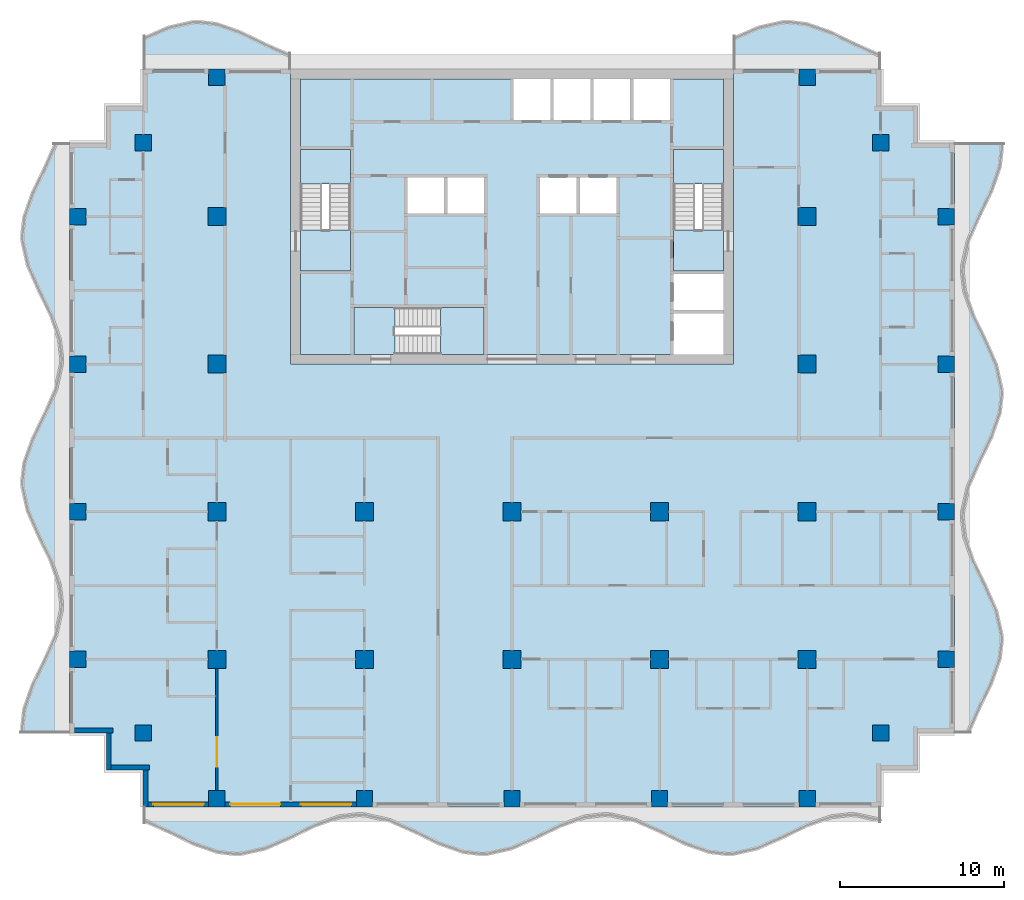
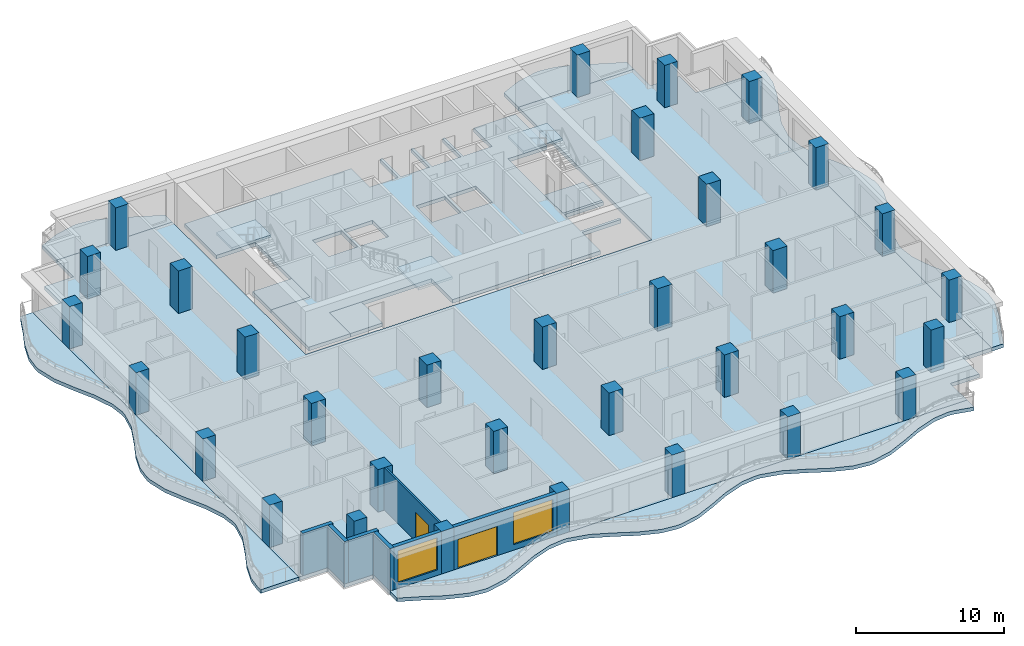
# One storey, part 1 of 12: 33 columns, 13 slabs, 7 walls, 2 doors, 2 windows, 4 openings, 3 elements without a shape of their own.
"""IFC4 building model written with IfcOpenShell, lengths in metres."""

from ifc_helpers import new_model, si_unit, direction, frame, frame_2d, origin, origin_2d, place, context, subcontext, project, spatial, polyline, rectangle, outline, extrude, material, layer, layer_set, material_profile, profile_set, type_object, element, fill, aggregate, save


model = new_model("IFC4")

# Units and contexts
model_context = context("Model", 3, precision=1e-05, world=origin(), true_north=direction((0.0, 1.0)))
body_context = subcontext(model_context, "Body", "Model", "MODEL_VIEW")
ifc_project = project(units=[si_unit("LENGTHUNIT", "METRE"), si_unit("AREAUNIT", "SQUARE_METRE"), si_unit("VOLUMEUNIT", "CUBIC_METRE"), si_unit("PLANEANGLEUNIT", "RADIAN"), si_unit("MASSUNIT", "GRAM", prefix="KILO")], contexts=[model_context])

# Site, building, storey
site_placement = place(None, origin())
site = spatial("IfcSite", under=ifc_project, at=site_placement, CompositionType="ELEMENT")
building_placement = place(site_placement, origin())
building = spatial("IfcBuilding", under=site, at=building_placement, Name="Orbiselva Terraces", CompositionType="ELEMENT")
storey_placement = place(building_placement, frame((0.0, 0.0, 207.2)))
storey = spatial("IfcBuildingStorey", under=building, at=storey_placement, Name="L52", CompositionType="ELEMENT", Elevation=207.2)

# Columns
ifc_material_1 = material(Name="Concrete C60/75", Category="concrete")
ifc_material_profile_1 = material_profile(ifc_material_1, rectangle(XDim=1.1, YDim=1.1, at=origin_2d()), Name="RC 1100x1100")
ifc_profile_set_1 = profile_set([ifc_material_profile_1], Name="Concrete C60/75")
column_type_1 = type_object("IfcColumnType", Name="COLUMN RC 1100x1100", PredefinedType="COLUMN", material=ifc_profile_set_1)
for number, where, z_axis, x_axis, name in (
    (1, (-18.0, -13.5, 0.0), (0.0, 0.0, 1.0), (1.0, 0.0, 0.0), "Column L52-01"),
    (2, (-18.0, -4.5, 0.0), (0.0, 0.0, 1.0), (1.0, 0.0, 0.0), "Column L52-03"),
    (3, (-18.0, 13.5, 0.0), (0.0, 0.0, 1.0), (1.0, 0.0, 0.0), "Column L52-04"),
    (4, (-18.0, 4.5, 0.0), (0.0, 0.0, 1.0), (1.0, 0.0, 0.0), "Column L52-06"),
    (5, (-9.0, -13.5, 0.0), (0.0, 0.0, 1.0), (1.0, 0.0, 0.0), "Column L52-13"),
    (6, (-9.0, -4.5, 0.0), (0.0, 0.0, 1.0), (1.0, 0.0, 0.0), "Column L52-15"),
    (7, (0.0, -13.5, 0.0), (0.0, 0.0, 1.0), (1.0, 0.0, 0.0), "Column L52-16"),
    (8, (0.0, -4.5, 0.0), (0.0, 0.0, 1.0), (1.0, 0.0, 0.0), "Column L52-18"),
    (9, (18.0, -13.5, 0.0), (0.0, 0.0, 1.0), (1.0, 0.0, 0.0), "Column L52-19"),
    (10, (18.0, -4.5, 0.0), (0.0, 0.0, 1.0), (1.0, 0.0, 0.0), "Column L52-21"),
    (11, (18.0, 13.5, 0.0), (0.0, 0.0, 1.0), (1.0, 0.0, 0.0), "Column L52-22"),
    (12, (18.0, 4.5, 0.0), (0.0, 0.0, 1.0), (1.0, 0.0, 0.0), "Column L52-24"),
    (13, (9.0, -13.5, 0.0), (0.0, 0.0, 1.0), (1.0, 0.0, 0.0), "Column L52-31"),
    (14, (9.0, -4.5, 0.0), (0.0, 0.0, 1.0), (1.0, 0.0, 0.0), "Column L52-33"),
):
    element("IfcColumn", number, at=place(storey_placement, frame(where, z_axis=z_axis, x_axis=x_axis)), inside=storey, type_object=column_type_1, Name=name, PredefinedType="COLUMN", context=body_context, shape_type="SweptSolid", body=[
        extrude(rectangle(XDim=1.1, YDim=1.1, at=origin_2d()), origin(), (0.0, 0.0, 1.0), 3.5),
    ])
ifc_material_2 = material(Name="Concrete C50/60", Category="concrete")
ifc_material_profile_2 = material_profile(ifc_material_2, rectangle(XDim=1.0, YDim=1.0, at=origin_2d()), Name="RC 1000x1000")
ifc_profile_set_2 = profile_set([ifc_material_profile_2], Name="Concrete C50/60")
column_type_2 = type_object("IfcColumnType", Name="PERIMETER COLUMN RC 1000x1000", PredefinedType="COLUMN", material=ifc_profile_set_2)
for number, where, z_axis, x_axis, name in (
    (15, (-18.0, -22.0, 0.0), (0.0, 0.0, 1.0), (1.0, 0.0, 0.0), "Column L52-02"),
    (16, (-18.0, 22.0, 0.0), (0.0, 0.0, 1.0), (1.0, 0.0, 0.0), "Column L52-05"),
    (17, (-26.5, -13.5, 0.0), (0.0, 0.0, 1.0), (1.0, 0.0, 0.0), "Column L52-07"),
    (18, (-22.5, -18.0, 0.0), (0.0, 0.0, 1.0), (1.0, 0.0, 0.0), "Column L52-08"),
    (19, (-26.5, -4.5, 0.0), (0.0, 0.0, 1.0), (1.0, 0.0, 0.0), "Column L52-09"),
    (20, (-26.5, 13.5, 0.0), (0.0, 0.0, 1.0), (1.0, 0.0, 0.0), "Column L52-10"),
    (21, (-22.5, 18.0, 0.0), (0.0, 0.0, 1.0), (1.0, 0.0, 0.0), "Column L52-11"),
    (22, (-26.5, 4.5, 0.0), (0.0, 0.0, 1.0), (1.0, 0.0, 0.0), "Column L52-12"),
    (23, (-9.0, -22.0, 0.0), (0.0, 0.0, 1.0), (1.0, 0.0, 0.0), "Column L52-14"),
    (24, (0.0, -22.0, 0.0), (0.0, 0.0, 1.0), (1.0, 0.0, 0.0), "Column L52-17"),
    (25, (18.0, -22.0, 0.0), (0.0, 0.0, 1.0), (1.0, 0.0, 0.0), "Column L52-20"),
    (26, (18.0, 22.0, 0.0), (0.0, 0.0, 1.0), (1.0, 0.0, 0.0), "Column L52-23"),
    (27, (26.5, -13.5, 0.0), (0.0, 0.0, 1.0), (1.0, 0.0, 0.0), "Column L52-25"),
    (28, (22.5, -18.0, 0.0), (0.0, 0.0, 1.0), (1.0, 0.0, 0.0), "Column L52-26"),
    (29, (26.5, -4.5, 0.0), (0.0, 0.0, 1.0), (1.0, 0.0, 0.0), "Column L52-27"),
    (30, (26.5, 13.5, 0.0), (0.0, 0.0, 1.0), (1.0, 0.0, 0.0), "Column L52-28"),
    (31, (22.5, 18.0, 0.0), (0.0, 0.0, 1.0), (1.0, 0.0, 0.0), "Column L52-29"),
    (32, (26.5, 4.5, 0.0), (0.0, 0.0, 1.0), (1.0, 0.0, 0.0), "Column L52-30"),
    (33, (9.0, -22.0, 0.0), (0.0, 0.0, 1.0), (1.0, 0.0, 0.0), "Column L52-32"),
):
    element("IfcColumn", number, at=place(storey_placement, frame(where, z_axis=z_axis, x_axis=x_axis)), inside=storey, type_object=column_type_2, Name=name, PredefinedType="COLUMN", context=body_context, shape_type="SweptSolid", body=[
        extrude(rectangle(XDim=1.0, YDim=1.0, at=origin_2d()), origin(), (0.0, 0.0, 1.0), 3.5),
    ])

# Slabs
ifc_material_3 = material(Name="Concrete C40/50", Category="concrete")
ifc_layer_1 = layer(ifc_material_3, 0.3)
ifc_layer_set_1 = layer_set([ifc_layer_1], Name="Concrete C40/50")
slab_type_1 = type_object("IfcSlabType", Name="CORE-SLAB-FLOOR-300", PredefinedType="FLOOR", material=ifc_layer_set_1)
slab_1_placement = place(storey_placement, frame((0.0, 0.0, -0.3)))
element("IfcSlab", 34, at=slab_1_placement, inside=storey, type_object=slab_type_1, Name="L52 S1 floor landing", PredefinedType="FLOOR", context=body_context, shape_type="SweptSolid", body=[
    extrude(outline(polyline([(-12.9, 12.7), (-9.85, 12.7), (-9.85, 10.2), (-12.9, 10.2), (-12.9, 12.7)])), origin(), (0.0, 0.0, 1.0), 0.3),
])
slab_2_placement = place(storey_placement, frame((0.0, 0.0, -0.3)))
element("IfcSlab", 35, at=slab_2_placement, inside=storey, type_object=slab_type_1, Name="L52 S2 floor landing", PredefinedType="FLOOR", context=body_context, shape_type="SweptSolid", body=[
    extrude(outline(polyline([(12.9, 12.7), (12.9, 10.2), (9.85, 10.2), (9.85, 12.7), (12.9, 12.7)])), origin(), (0.0, 0.0, 1.0), 0.3),
])
slab_3_placement = place(storey_placement, frame((0.0, 0.0, -0.3)))
element("IfcSlab", 36, at=slab_3_placement, inside=storey, type_object=slab_type_1, Name="L52 S3 floor landing", PredefinedType="FLOOR", context=body_context, shape_type="SweptSolid", body=[
    extrude(outline(polyline([(-7.15, 5.1), (-9.65, 5.1), (-9.65, 7.95), (-7.15, 7.95), (-7.15, 5.1)])), origin(), (0.0, 0.0, 1.0), 0.3),
])
slab_4_placement = place(storey_placement, frame((0.0, 0.0, -0.3)))
element("IfcSlab", 37, at=slab_4_placement, inside=storey, type_object=slab_type_1, Name="L52 core floor slab 1", PredefinedType="FLOOR", context=body_context, shape_type="SweptSolid", body=[
    extrude(outline(polyline([(-1.7, 5.1), (-1.7, 7.95), (-9.65, 7.95), (-9.65, 5.1), (-12.9, 5.1), (-12.9, 10.2), (-9.85, 10.2), (-9.85, 17.6), (-12.9, 17.6), (-12.9, 21.9), (0.1, 21.9), (0.1, 19.4), (2.3375, 19.4), (2.3375, 21.9), (2.5375, 21.9), (2.5375, 19.4), (4.775, 19.4), (4.775, 21.9), (4.975, 21.9), (4.975, 19.4), (7.2125, 19.4), (7.2125, 21.9), (7.4125, 21.9), (7.4125, 19.4), (9.65, 19.4), (9.65, 21.9), (12.9, 21.9), (12.9, 17.6), (9.85, 17.6), (9.85, 10.2), (12.9, 10.2), (12.9, 10.0), (9.85, 10.0), (9.85, 7.8), (12.9, 7.8), (12.9, 7.6), (9.85, 7.6), (9.85, 5.1), (-1.7, 5.1)]), holes=[polyline([(-4.1375, 13.7), (-4.1375, 15.9), (-6.375, 15.9), (-6.375, 13.7), (-4.1375, 13.7)]), polyline([(-1.7, 13.7), (-1.7, 15.9), (-3.9375, 15.9), (-3.9375, 13.7), (-1.7, 13.7)]), polyline([(3.9375, 15.9), (1.7, 15.9), (1.7, 13.7), (3.9375, 13.7), (3.9375, 15.9)]), polyline([(6.375, 13.7), (6.375, 15.9), (4.1375, 15.9), (4.1375, 13.7), (6.375, 13.7)])]), origin(), (0.0, 0.0, 1.0), 0.3),
])

# Stair, slab
stair_type_1 = type_object("IfcStairType", Name="CORE-STAIR-1300", PredefinedType="HALF_TURN_STAIR", material=ifc_material_3)
stair_1_placement = place(storey_placement, origin())
stair_1 = element("IfcStair", 38, at=stair_1_placement, inside=storey, type_object=stair_type_1, Name="L52 Exit Stair S1", PredefinedType="HALF_TURN_STAIR")
ifc_layer_2 = layer(ifc_material_3, 0.2)
ifc_layer_set_2 = layer_set([ifc_layer_2], Name="Concrete C40/50")
slab_type_2 = type_object("IfcSlabType", Name="CORE-STAIR-LANDING-200", PredefinedType="LANDING", material=ifc_layer_set_2)
slab_5_placement = place(storey_placement, frame((0.0, 0.0, 1.7)))
slab_5 = element("IfcSlab", 39, at=slab_5_placement, type_object=slab_type_2, Name="S1 landing 1", PredefinedType="LANDING", context=body_context, shape_type="SweptSolid", body=[
    extrude(outline(polyline([(-9.85, 15.5), (-9.85, 17.6), (-12.9, 17.6), (-12.9, 15.5), (-9.85, 15.5)])), origin(), (0.0, 0.0, 1.0), 0.2),
])
aggregate(stair_1, [slab_5])

stair_2_placement = place(storey_placement, origin())
stair_2 = element("IfcStair", 40, at=stair_2_placement, inside=storey, type_object=stair_type_1, Name="L52 Exit Stair S2", PredefinedType="HALF_TURN_STAIR")
slab_6_placement = place(storey_placement, frame((0.0, 0.0, 1.7)))
slab_6 = element("IfcSlab", 41, at=slab_6_placement, type_object=slab_type_2, Name="S2 landing 1", PredefinedType="LANDING", context=body_context, shape_type="SweptSolid", body=[
    extrude(outline(polyline([(12.9, 15.5), (12.9, 17.6), (9.85, 17.6), (9.85, 15.5), (12.9, 15.5)])), origin(), (0.0, 0.0, 1.0), 0.2),
])
aggregate(stair_2, [slab_6])

stair_type_2 = type_object("IfcStairType", Name="CORE-STAIR-1200", PredefinedType="HALF_TURN_STAIR", material=ifc_material_3)
stair_3_placement = place(storey_placement, origin())
stair_3 = element("IfcStair", 42, at=stair_3_placement, inside=storey, type_object=stair_type_2, Name="L52 Exit Stair S3", PredefinedType="HALF_TURN_STAIR")
slab_7_placement = place(storey_placement, frame((0.0, 0.0, 1.7)))
slab_7 = element("IfcSlab", 43, at=slab_7_placement, type_object=slab_type_2, Name="S3 landing 1", PredefinedType="LANDING", context=body_context, shape_type="SweptSolid", body=[
    extrude(outline(polyline([(-4.35, 5.1), (-1.7, 5.1), (-1.7, 7.95), (-4.35, 7.95), (-4.35, 5.1)])), origin(), (0.0, 0.0, 1.0), 0.2),
])
aggregate(stair_3, [slab_7])

# Slabs
ifc_layer_3 = layer(ifc_material_2, 0.3)
ifc_layer_set_3 = layer_set([ifc_layer_3], Name="Concrete C50/60")
slab_type_3 = type_object("IfcSlabType", Name="ENV-BALCONY-SLAB-300", PredefinedType="FLOOR", material=ifc_layer_set_3)
slab_8_placement = place(storey_placement, frame((0.0, 0.0, -0.3)))
element("IfcSlab", 44, at=slab_8_placement, inside=storey, type_object=slab_type_3, Name="Balcony slab L52 S", PredefinedType="FLOOR", context=body_context, shape_type="SweptSolid", body=[
    extrude(outline(polyline([(-22.5, -23.451472), (-21.0, -24.112279), (-19.5, -24.844789), (-18.0, -25.369208), (-16.875, -25.5), (-16.5, -25.485226), (-15.0, -25.148528), (-13.5, -24.487721), (-12.0, -23.755211), (-10.5, -23.230792), (-9.375, -23.1), (-9.0, -23.114774), (-7.5, -23.451472), (-6.0, -24.112279), (-4.5, -24.844789), (-3.0, -25.369208), (-1.875, -25.5), (-1.5, -25.485226), (0.0, -25.148528), (1.5, -24.487721), (3.0, -23.755211), (4.5, -23.230792), (5.625, -23.1), (6.0, -23.114774), (7.5, -23.451472), (9.0, -24.112279), (10.5, -24.844789), (12.0, -25.369208), (13.125, -25.5), (13.5, -25.485226), (15.0, -25.148528), (16.5, -24.487721), (18.0, -23.755211), (19.5, -23.230792), (20.625, -23.1), (21.0, -23.114774), (22.5, -23.451472), (22.5, -22.5), (-22.5, -22.5), (-22.5, -23.451472)])), origin(), (0.0, 0.0, 1.0), 0.3),
])
slab_9_placement = place(storey_placement, frame((0.0, 0.0, -0.3)))
element("IfcSlab", 45, at=slab_9_placement, inside=storey, type_object=slab_type_3, Name="Balcony slab L52 E", PredefinedType="FLOOR", context=body_context, shape_type="SweptSolid", body=[
    extrude(outline(polyline([(27.951472, -18.0), (28.612279, -16.5), (29.344789, -15.0), (29.869208, -13.5), (30.0, -12.375), (29.985226, -12.0), (29.648528, -10.5), (28.987721, -9.0), (28.255211, -7.5), (27.730792, -6.0), (27.6, -4.875), (27.614774, -4.5), (27.951472, -3.0), (28.612279, -1.5), (29.344789, 0.0), (29.869208, 1.5), (30.0, 2.625), (29.985226, 3.0), (29.648528, 4.5), (28.987721, 6.0), (28.255211, 7.5), (27.730792, 9.0), (27.6, 10.125), (27.614774, 10.5), (27.951472, 12.0), (28.612279, 13.5), (29.344789, 15.0), (29.869208, 16.5), (30.0, 17.625), (29.985226, 18.0), (27.0, 18.0), (27.0, -18.0), (27.951472, -18.0)])), origin(), (0.0, 0.0, 1.0), 0.3),
])
slab_10_placement = place(storey_placement, frame((0.0, 0.0, -0.3)))
element("IfcSlab", 46, at=slab_10_placement, inside=storey, type_object=slab_type_3, Name="Balcony slab L52 NE", PredefinedType="FLOOR", context=body_context, shape_type="SweptSolid", body=[
    extrude(outline(polyline([(22.5, 23.451472), (21.0, 24.112279), (19.5, 24.844789), (18.0, 25.369208), (16.875, 25.5), (16.5, 25.485226), (15.0, 25.148528), (13.5, 24.487721), (13.5, 22.5), (22.5, 22.5), (22.5, 23.451472)])), origin(), (0.0, 0.0, 1.0), 0.3),
])
slab_11_placement = place(storey_placement, frame((0.0, 0.0, -0.3)))
element("IfcSlab", 47, at=slab_11_placement, inside=storey, type_object=slab_type_3, Name="Balcony slab L52 NW", PredefinedType="FLOOR", context=body_context, shape_type="SweptSolid", body=[
    extrude(outline(polyline([(-13.5, 23.451472), (-15.0, 24.112279), (-16.5, 24.844789), (-18.0, 25.369208), (-19.125, 25.5), (-19.5, 25.485226), (-21.0, 25.148528), (-22.5, 24.487721), (-22.5, 22.5), (-13.5, 22.5), (-13.5, 23.451472)])), origin(), (0.0, 0.0, 1.0), 0.3),
])
slab_12_placement = place(storey_placement, frame((0.0, 0.0, -0.3)))
element("IfcSlab", 48, at=slab_12_placement, inside=storey, type_object=slab_type_3, Name="Balcony slab L52 W", PredefinedType="FLOOR", context=body_context, shape_type="SweptSolid", body=[
    extrude(outline(polyline([(-27.951472, 18.0), (-28.612279, 16.5), (-29.344789, 15.0), (-29.869208, 13.5), (-30.0, 12.375), (-29.985226, 12.0), (-29.648528, 10.5), (-28.987721, 9.0), (-28.255211, 7.5), (-27.730792, 6.0), (-27.6, 4.875), (-27.614774, 4.5), (-27.951472, 3.0), (-28.612279, 1.5), (-29.344789, 0.0), (-29.869208, -1.5), (-30.0, -2.625), (-29.985226, -3.0), (-29.648528, -4.5), (-28.987721, -6.0), (-28.255211, -7.5), (-27.730792, -9.0), (-27.6, -10.125), (-27.614774, -10.5), (-27.951472, -12.0), (-28.612279, -13.5), (-29.344789, -15.0), (-29.869208, -16.5), (-30.0, -17.625), (-29.985226, -18.0), (-27.0, -18.0), (-27.0, 18.0), (-27.951472, 18.0)])), origin(), (0.0, 0.0, 1.0), 0.3),
])
ifc_layer_4 = layer(ifc_material_2, 0.3)
ifc_layer_set_4 = layer_set([ifc_layer_4], Name="Concrete C50/60")
slab_type_4 = type_object("IfcSlabType", Name="FLOOR SLAB 300", PredefinedType="FLOOR", material=ifc_layer_set_4)
slab_13_placement = place(storey_placement, frame((0.0, 0.0, -0.3)))
element("IfcSlab", 49, at=slab_13_placement, inside=storey, type_object=slab_type_4, Name="Floor slab L52", PredefinedType="FLOOR", context=body_context, shape_type="SweptSolid", body=[
    extrude(outline(polyline([(22.5, 22.5), (22.5, 20.25), (24.75, 20.25), (24.75, 18.0), (27.0, 18.0), (27.0, -18.0), (24.75, -18.0), (24.75, -20.25), (22.5, -20.25), (22.5, -22.5), (-22.5, -22.5), (-22.5, -20.25), (-24.75, -20.25), (-24.75, -18.0), (-27.0, -18.0), (-27.0, 18.0), (-24.75, 18.0), (-24.75, 20.25), (-22.5, 20.25), (-22.5, 22.5), (-13.5, 22.5), (-13.5, 4.5), (13.5, 4.5), (13.5, 22.5), (22.5, 22.5)])), origin(), (0.0, 0.0, 1.0), 0.3),
])

# Wall, opening, window
ifc_material_4 = material(Name="Terracotta cladding on masonry backing", Category="masonry")
ifc_layer_5 = layer(ifc_material_4, 0.3)
ifc_layer_set_5 = layer_set([ifc_layer_5], Name="Terracotta cladding on masonry backing")
wall_type_1 = type_object("IfcWallType", Name="ENV-WALL-TERRACOTTA-300", PredefinedType="SOLIDWALL", material=ifc_layer_set_5)
wall_1_placement = place(storey_placement, frame((-18.5, -22.35, 0.0), z_axis=(0.0, 0.0, 1.0), x_axis=(-1.0, 0.0, 0.0)))
wall_1 = element("IfcWall", 50, at=wall_1_placement, inside=storey, type_object=wall_type_1, Name="Facade wall L52 S", PredefinedType="SOLIDWALL", context=body_context, shape_type="SweptSolid", body=[
    extrude(rectangle(XDim=3.7, YDim=0.3, at=frame_2d((1.85, 0.0))), origin(), (0.0, 0.0, 1.0), 3.5),
])
opening_1_placement = place(wall_1_placement, frame((0.3, 0.0, 0.45)))
opening_1 = element("IfcOpeningElement", 51, at=opening_1_placement, cuts=wall_1, Name="Opening WN15", PredefinedType="OPENING", context=body_context, shape_type="SweptSolid", body=[
    extrude(rectangle(XDim=3.075, YDim=2.65, at=frame_2d((1.5375, 1.325))), frame((0.0, 0.16, 0.0), z_axis=(0.0, -1.0, 0.0), x_axis=(1.0, 0.0, 0.0)), (0.0, 0.0, 1.0), 0.32),
])
ifc_material_5 = material(Name="Clear low-e glazing in aluminium frame", Category="aluminium")
window_type = type_object("IfcWindowType", Name="WINDOW 3075 X 2650 S450", PartitioningType="TRIPLE_PANEL_VERTICAL", PredefinedType="WINDOW", material=ifc_material_5)
window_1_placement = place(opening_1_placement, origin())
window_1 = element("IfcWindow", 52, at=window_1_placement, inside=storey, type_object=window_type, Name="Window L52 S", OverallHeight=2.65, OverallWidth=3.075, PartitioningType="SINGLE_PANEL", PredefinedType="WINDOW", context=body_context, shape_type="SweptSolid", body=[
    extrude(rectangle(XDim=3.075, YDim=2.65, at=frame_2d((1.5375, 1.325))), frame((0.0, 0.03, 0.0), z_axis=(0.0, -1.0, 0.0), x_axis=(1.0, 0.0, 0.0)), (0.0, 0.0, 1.0), 0.06),
])
fill(opening_1, window_1)

# Wall, openings, door, window
wall_2_placement = place(storey_placement, frame((-9.5, -22.35, 0.0), z_axis=(0.0, 0.0, 1.0), x_axis=(-1.0, 0.0, 0.0)))
wall_2 = element("IfcWall", 53, at=wall_2_placement, inside=storey, type_object=wall_type_1, Name="Facade wall L52 S", PredefinedType="SOLIDWALL", context=body_context, shape_type="SweptSolid", body=[
    extrude(rectangle(XDim=8.0, YDim=0.3, at=frame_2d((4.0, 0.0))), origin(), (0.0, 0.0, 1.0), 3.5),
])
opening_2_placement = place(wall_2_placement, frame((4.625, 0.0, 0.0)))
opening_2 = element("IfcOpeningElement", 54, at=opening_2_placement, cuts=wall_2, Name="Opening Z4-C-E01", PredefinedType="OPENING", context=body_context, shape_type="SweptSolid", body=[
    extrude(rectangle(XDim=3.075, YDim=2.4, at=frame_2d((1.5375, 1.2))), frame((0.0, 0.16, 0.0), z_axis=(0.0, -1.0, 0.0), x_axis=(1.0, 0.0, 0.0)), (0.0, 0.0, 1.0), 0.32),
])
opening_3_placement = place(wall_2_placement, frame((0.3, 0.0, 0.45)))
opening_3 = element("IfcOpeningElement", 55, at=opening_3_placement, cuts=wall_2, Name="Opening WN15", PredefinedType="OPENING", context=body_context, shape_type="SweptSolid", body=[
    extrude(rectangle(XDim=3.075, YDim=2.65, at=frame_2d((1.5375, 1.325))), frame((0.0, 0.16, 0.0), z_axis=(0.0, -1.0, 0.0), x_axis=(1.0, 0.0, 0.0)), (0.0, 0.0, 1.0), 0.32),
])
door_type_1 = type_object("IfcDoorType", Name="BALCONY DOOR 3075 X 2400", OperationType="DOUBLE_DOOR_SLIDING", PredefinedType="DOOR", material=ifc_material_5)
door_1_placement = place(opening_2_placement, origin())
door_1 = element("IfcDoor", 56, at=door_1_placement, inside=storey, type_object=door_type_1, Name="Z4-C-E01", OperationType="SINGLE_SWING_LEFT", OverallHeight=2.4, OverallWidth=3.075, PredefinedType="DOOR", context=body_context, shape_type="SweptSolid", body=[
    extrude(rectangle(XDim=3.075, YDim=2.4, at=frame_2d((1.5375, 1.2))), frame((0.0, 0.025, 0.0), z_axis=(0.0, -1.0, 0.0), x_axis=(1.0, 0.0, 0.0)), (0.0, 0.0, 1.0), 0.05),
])
fill(opening_2, door_1)
window_2_placement = place(opening_3_placement, origin())
window_2 = element("IfcWindow", 57, at=window_2_placement, inside=storey, type_object=window_type, Name="Window L52 S", OverallHeight=2.65, OverallWidth=3.075, PartitioningType="SINGLE_PANEL", PredefinedType="WINDOW", context=body_context, shape_type="SweptSolid", body=[
    extrude(rectangle(XDim=3.075, YDim=2.65, at=frame_2d((1.5375, 1.325))), frame((0.0, 0.03, 0.0), z_axis=(0.0, -1.0, 0.0), x_axis=(1.0, 0.0, 0.0)), (0.0, 0.0, 1.0), 0.06),
])
fill(opening_3, window_2)

# Walls
wall_3_placement = place(storey_placement, frame((-24.35, -17.85, 0.0), z_axis=(0.0, 0.0, 1.0), x_axis=(-1.0, 0.0, 0.0)))
element("IfcWall", 58, at=wall_3_placement, inside=storey, type_object=wall_type_1, Name="Facade wall L52 STEP", PredefinedType="SOLIDWALL", context=body_context, shape_type="SweptSolid", body=[
    extrude(rectangle(XDim=2.35, YDim=0.3, at=frame_2d((1.175, 0.0))), origin(), (0.0, 0.0, 1.0), 3.5),
])
wall_4_placement = place(storey_placement, frame((-24.6, -20.25, 0.0), z_axis=(0.0, 0.0, 1.0), x_axis=(0.0, 1.0, 0.0)))
element("IfcWall", 59, at=wall_4_placement, inside=storey, type_object=wall_type_1, Name="Facade wall L52 STEP", PredefinedType="SOLIDWALL", context=body_context, shape_type="SweptSolid", body=[
    extrude(rectangle(XDim=2.25, YDim=0.3, at=frame_2d((1.125, 0.0))), origin(), (0.0, 0.0, 1.0), 3.5),
])
wall_5_placement = place(storey_placement, frame((-22.1, -20.1, 0.0), z_axis=(0.0, 0.0, 1.0), x_axis=(-1.0, 0.0, 0.0)))
element("IfcWall", 60, at=wall_5_placement, inside=storey, type_object=wall_type_1, Name="Facade wall L52 STEP", PredefinedType="SOLIDWALL", context=body_context, shape_type="SweptSolid", body=[
    extrude(rectangle(XDim=2.35, YDim=0.3, at=frame_2d((1.175, 0.0))), origin(), (0.0, 0.0, 1.0), 3.5),
])
wall_6_placement = place(storey_placement, frame((-22.35, -22.5, 0.0), z_axis=(0.0, 0.0, 1.0), x_axis=(0.0, 1.0, 0.0)))
element("IfcWall", 61, at=wall_6_placement, inside=storey, type_object=wall_type_1, Name="Facade wall L52 STEP", PredefinedType="SOLIDWALL", context=body_context, shape_type="SweptSolid", body=[
    extrude(rectangle(XDim=2.25, YDim=0.3, at=frame_2d((1.125, 0.0))), origin(), (0.0, 0.0, 1.0), 3.5),
])

# Wall, opening, door
ifc_material_6 = material(Name="Plasterboard on steel stud partition", Category="steel")
ifc_layer_6 = layer(ifc_material_6, 0.15)
ifc_layer_set_6 = layer_set([ifc_layer_6], Name="Plasterboard on steel stud partition")
wall_type_2 = type_object("IfcWallType", Name="UNIT-PARTITION-150", PredefinedType="PARTITIONING", material=ifc_layer_set_6)
wall_7_placement = place(storey_placement, frame((-18.0, -21.5, 0.0), z_axis=(0.0, 0.0, 1.0), x_axis=(0.0, 1.0, 0.0)))
wall_7 = element("IfcWall", 62, at=wall_7_placement, inside=storey, type_object=wall_type_2, Name="PARTITION L52-056", PredefinedType="PARTITIONING", context=body_context, shape_type="SweptSolid", body=[
    extrude(rectangle(XDim=7.45, YDim=0.15, at=frame_2d((3.725, 0.0))), origin(), (0.0, 0.0, 1.0), 3.5),
])
opening_4_placement = place(wall_7_placement, frame((1.45, 0.0, 0.0)))
opening_4 = element("IfcOpeningElement", 63, at=opening_4_placement, cuts=wall_7, Name="Opening Z4-C-32", PredefinedType="OPENING", context=body_context, shape_type="SweptSolid", body=[
    extrude(rectangle(XDim=1.8, YDim=2.4, at=frame_2d((0.9, 1.2))), frame((0.0, 0.085, 0.0), z_axis=(0.0, -1.0, 0.0), x_axis=(1.0, 0.0, 0.0)), (0.0, 0.0, 1.0), 0.17),
])
ifc_material_7 = material(Name="Painted timber door leaf", Category="wood")
door_type_2 = type_object("IfcDoorType", Name="DOUBLE DOOR 1800", OperationType="NOTDEFINED", PredefinedType="DOOR", material=ifc_material_7)
door_2_placement = place(opening_4_placement, origin())
door_2 = element("IfcDoor", 64, at=door_2_placement, inside=storey, type_object=door_type_2, Name="Z4-C-32", OperationType="DOUBLE_DOOR_SINGLE_SWING", OverallHeight=2.4, OverallWidth=1.8, PredefinedType="DOOR", context=body_context, shape_type="SweptSolid", body=[
    extrude(rectangle(XDim=1.8, YDim=2.4, at=frame_2d((0.9, 1.2))), frame((0.0, 0.025, 0.0), z_axis=(0.0, -1.0, 0.0), x_axis=(1.0, 0.0, 0.0)), (0.0, 0.0, 1.0), 0.05),
])
fill(opening_4, door_2)

save(model, "model.ifc")
